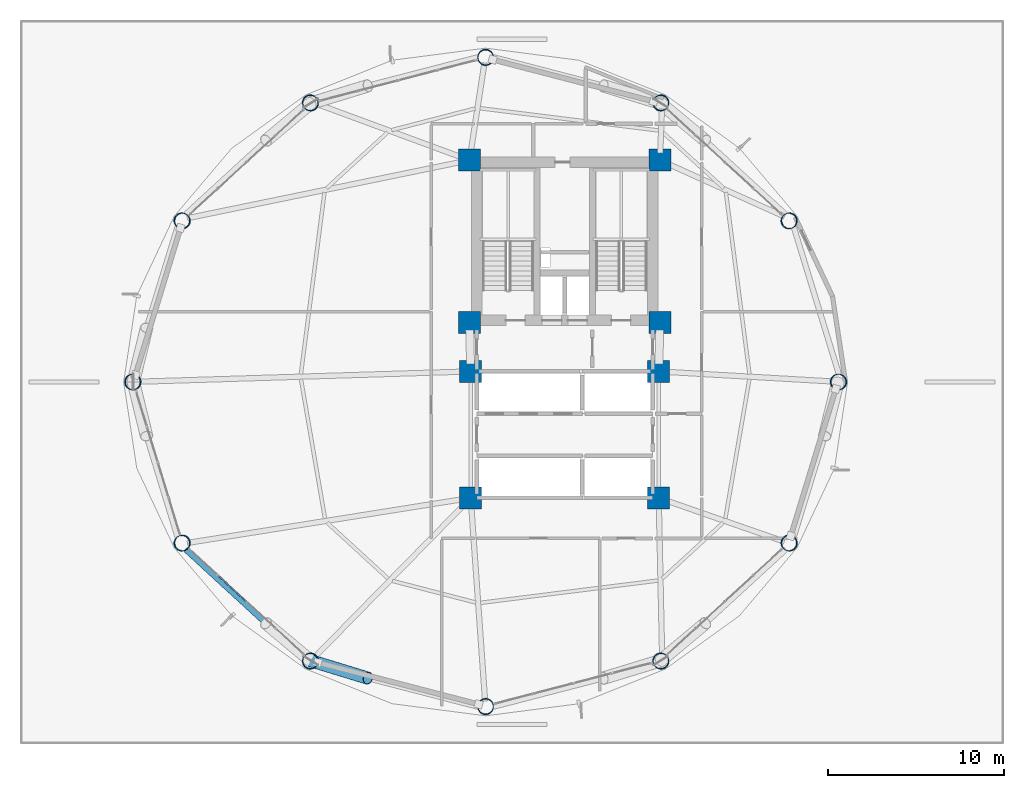
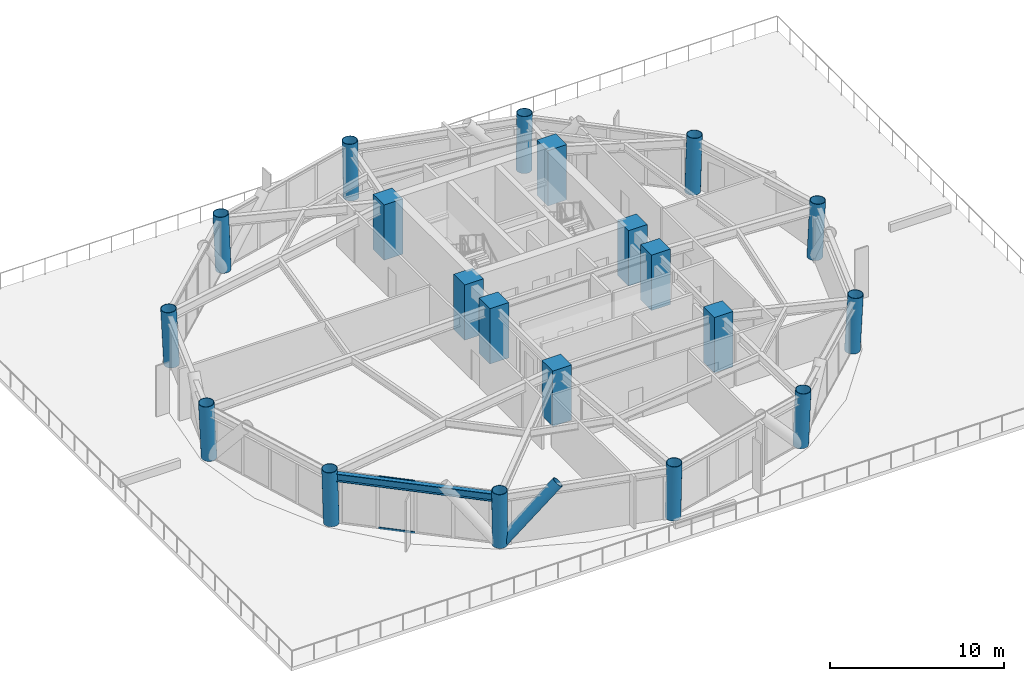
# One storey, part 1 of 24: 20 columns, 3 members, 1 beam, 1 element without a shape of its own.
"""IFC4 building model written with IfcOpenShell, lengths in metres."""

import ifcopenshell
import ifcopenshell.guid

model = None  # the IFC model being written
_history = None  # IfcOwnerHistory: only IFC2X3 demands one
_inside = {}  # id of a spatial element -> (the spatial element, [elements in it])
_under = {}  # id of a project, library or spatial element -> (it, [spatial elements below it])
_declared = {}  # id of a project -> (the project, [libraries it declares])
_typed = {}  # id of a type object -> (the type object, [elements of that type])
_made_of = {}  # id of a material, layer set ... -> (it, [elements and type objects made of it])


def new_model(schema):
    """Start an empty IFC model of exactly this schema.

    Asked for "IFC4X3", IfcOpenShell would pick the latest addendum, in which some entities
    have other attributes; the version numbers below select the first issue.
    IFC2X3 requires an IfcOwnerHistory on every rooted entity: one is made here for all.
    """
    global model, _history
    if schema == "IFC4X3":
        model = ifcopenshell.file(schema_version=(4, 3, 0, 0))
    else:
        model = ifcopenshell.file(schema=schema)
    _inside.clear()
    _under.clear()
    _declared.clear()
    _typed.clear()
    _made_of.clear()
    _history = None
    if model.schema == "IFC2X3":
        org = make("IfcOrganization", Name="unknown")
        user = make(
            "IfcPersonAndOrganization",
            ThePerson=make("IfcPerson", FamilyName="unknown"),
            TheOrganization=org,
        )
        app = make(
            "IfcApplication",
            ApplicationDeveloper=org,
            Version="unknown",
            ApplicationFullName="unknown",
            ApplicationIdentifier="unknown",
        )
        _history = make(
            "IfcOwnerHistory",
            OwningUser=user,
            OwningApplication=app,
            ChangeAction="ADDED",
            CreationDate=0,
        )
    return model


def make(cls, **values):
    """One entity of the class cls with the attributes given. An attribute that is None is left unset."""
    return model.create_entity(
        cls, **{name: value for name, value in values.items() if value is not None}
    )


def rooted(cls, **values):
    """An entity with a GlobalId (a new one), such as an element, a storey or a relation."""
    return make(cls, GlobalId=ifcopenshell.guid.new(), OwnerHistory=_history, **values)


def si_unit(unit_type, name, prefix=None):
    """IfcSIUnit, for example si_unit("LENGTHUNIT", "METRE", prefix="MILLI")."""
    return make("IfcSIUnit", UnitType=unit_type, Prefix=prefix, Name=name)


def assignment(units):
    """IfcUnitAssignment: the units of a project."""
    return None if units is None else make("IfcUnitAssignment", Units=units)


def point(xyz):
    """IfcCartesianPoint."""
    return None if xyz is None else make("IfcCartesianPoint", Coordinates=xyz)


def direction(xyz):
    """IfcDirection."""
    return None if xyz is None else make("IfcDirection", DirectionRatios=xyz)


def frame(location, z_axis=None, x_axis=None):
    """IfcAxis2Placement3D, a coordinate frame: its origin and axes. An axis left out is left unset."""
    return make(
        "IfcAxis2Placement3D",
        Location=point(location),
        Axis=direction(z_axis),
        RefDirection=direction(x_axis),
    )


def frame_2d(location, x_axis=None):
    """IfcAxis2Placement2D, a coordinate frame in the plane: its origin and x axis."""
    return make(
        "IfcAxis2Placement2D", Location=point(location), RefDirection=direction(x_axis)
    )


def origin():
    """The frame at (0, 0, 0) with its axes left unset."""
    return frame((0.0, 0.0, 0.0))


def origin_2d():
    """The frame at (0, 0) in the plane with its x axis left unset."""
    return frame_2d((0.0, 0.0))


def place(relative_to, where):
    """IfcLocalPlacement: puts the frame where relative to a parent placement (None: the world)."""
    return make(
        "IfcLocalPlacement", PlacementRelTo=relative_to, RelativePlacement=where
    )


def context(
    kind, dimensions, precision=None, world=None, true_north=None, identifier=None
):
    """IfcGeometricRepresentationContext, for example the 3D "Model" context."""
    return make(
        "IfcGeometricRepresentationContext",
        ContextIdentifier=identifier,
        ContextType=kind,
        CoordinateSpaceDimension=dimensions,
        Precision=precision,
        WorldCoordinateSystem=world,
        TrueNorth=true_north,
    )


def subcontext(parent, identifier, kind, view, scale=None):
    """IfcGeometricRepresentationSubContext, for example "Body" below "Model"."""
    return make(
        "IfcGeometricRepresentationSubContext",
        ContextIdentifier=identifier,
        ContextType=kind,
        ParentContext=parent,
        TargetScale=scale,
        TargetView=view,
    )


def project(units=None, contexts=None):
    """IfcProject with its units and contexts."""
    return rooted(
        "IfcProject",
        Name="project",
        RepresentationContexts=contexts,
        UnitsInContext=assignment(units),
    )


def spatial(cls, under=None, at=None, **own):
    """A site, building, storey or space (cls), placed at a placement, below another one or the project."""
    s = rooted(cls, ObjectPlacement=at, **own)
    if under is not None:
        _under.setdefault(under.id(), (under, []))[1].append(s)
    return s


def profile(cls, at=None, kind="AREA", **sizes):
    """A parametric profile (cls). Its sizes go by their IFC names, for example OverallWidth=200.0."""
    return make(cls, ProfileType=kind, Position=at, **sizes)


def rectangle(**sizes):
    """IfcRectangleProfileDef."""
    return profile("IfcRectangleProfileDef", **sizes)


def hollow_rectangle(**sizes):
    """IfcRectangleHollowProfileDef."""
    return profile("IfcRectangleHollowProfileDef", **sizes)


def hollow_circle(**sizes):
    """IfcCircleHollowProfileDef."""
    return profile("IfcCircleHollowProfileDef", **sizes)


def i_section(**sizes):
    """IfcIShapeProfileDef."""
    return profile("IfcIShapeProfileDef", **sizes)


def extrude(swept, where, along, depth):
    """IfcExtrudedAreaSolid: the profile swept, set in the frame where, extruded along a direction by depth."""
    return make(
        "IfcExtrudedAreaSolid",
        SweptArea=swept,
        Position=where,
        ExtrudedDirection=direction(along),
        Depth=depth,
    )


def shape(context_of_items, identifier, shape_type, items):
    """IfcShapeRepresentation: the items that make up one representation, for example the "Body"."""
    return make(
        "IfcShapeRepresentation",
        ContextOfItems=context_of_items,
        RepresentationIdentifier=identifier,
        RepresentationType=shape_type,
        Items=items,
    )


def material(Name=None, Category=None):
    """IfcMaterial."""
    return make("IfcMaterial", Name=Name, Category=Category)


def layer(
    of_material, thickness, ventilated=None, Name=None, Category=None, Priority=None
):
    """IfcMaterialLayer: one layer of a wall or slab, of a material (None: an air gap)."""
    return make(
        "IfcMaterialLayer",
        Material=of_material,
        LayerThickness=thickness,
        IsVentilated=ventilated,
        Name=Name,
        Category=Category,
        Priority=Priority,
    )


def layer_set(layers, Name=None):
    """IfcMaterialLayerSet."""
    return make("IfcMaterialLayerSet", MaterialLayers=layers, LayerSetName=Name)


def material_profile(
    of_material, cross_section, Name=None, Category=None, Priority=None
):
    """IfcMaterialProfile: a cross section and its material."""
    return make(
        "IfcMaterialProfile",
        Name=Name,
        Material=of_material,
        Profile=cross_section,
        Priority=Priority,
        Category=Category,
    )


def profile_set(profiles, Name=None, composite=None):
    """IfcMaterialProfileSet."""
    return make(
        "IfcMaterialProfileSet",
        Name=Name,
        MaterialProfiles=profiles,
        CompositeProfile=composite,
    )


def made_of(thing, what):
    """Note that an element or type object is made of a material, layer set ...; save() writes the relation."""
    if what is not None:
        _made_of.setdefault(what.id(), (what, []))[1].append(thing)
    return thing


def type_object(cls, material=None, **own):
    """A type object (cls), such as IfcWallType, which elements share."""
    return made_of(rooted(cls, **own), material)


def element(
    cls,
    number,
    at=None,
    inside=None,
    cuts=None,
    type_object=None,
    material=None,
    context=None,
    identifier="Body",
    shape_type=None,
    held_by="IfcProductDefinitionShape",
    body=None,
    shapes=None,
    **own,
):
    """One element of the class cls, such as IfcWall. Its Tag is "e" and its number.

    at: its placement. inside: the storey or other place that contains it. cuts: it is an
    opening in that element (IfcRelVoidsElement). A single representation is given by context,
    identifier, shape_type and body (its items); several are given by shapes. held_by: the class
    of the entity that holds the representations. save() writes the other relations.
    """
    e = rooted(cls, Tag="e%d" % number, ObjectPlacement=at, **own)
    if body is not None:
        shapes = [shape(context, identifier, shape_type, body)]
    if shapes is not None:
        e.Representation = make(held_by, Representations=shapes)
    if inside is not None:
        _inside.setdefault(inside.id(), (inside, []))[1].append(e)
    if cuts is not None:
        rooted(
            "IfcRelVoidsElement", RelatingBuildingElement=cuts, RelatedOpeningElement=e
        )
    if type_object is not None:
        _typed.setdefault(type_object.id(), (type_object, []))[1].append(e)
    return made_of(e, material)


def aggregate(whole, parts):
    """IfcRelAggregates: a whole, such as a stair, and the parts it consists of."""
    return rooted("IfcRelAggregates", RelatingObject=whole, RelatedObjects=parts)


def save(model, path):
    """Write the relations noted so far, then the file.

    IfcRelAggregates (storeys below a building ...), IfcRelContainedInSpatialStructure (elements
    in a storey), IfcRelDefinesByType, IfcRelAssociatesMaterial and IfcRelDeclares: one each for
    every whole, place, type object, material and project.
    """
    for whole, parts in _under.values():
        aggregate(whole, parts)
    for where, things in _inside.values():
        rooted(
            "IfcRelContainedInSpatialStructure",
            RelatedElements=things,
            RelatingStructure=where,
        )
    for kind, things in _typed.values():
        rooted("IfcRelDefinesByType", RelatedObjects=things, RelatingType=kind)
    for what, things in _made_of.values():
        rooted("IfcRelAssociatesMaterial", RelatedObjects=things, RelatingMaterial=what)
    for by, libraries in _declared.values():
        rooted("IfcRelDeclares", RelatingContext=by, RelatedDefinitions=libraries)
    model.write(path)


model = new_model("IFC4")

# Units and contexts
model_context = context("Model", 3, precision=1e-05, world=origin(), true_north=direction((0.0, 1.0)))
body_context = subcontext(model_context, "Body", "Model", "MODEL_VIEW")
ifc_project = project(units=[si_unit("LENGTHUNIT", "METRE"), si_unit("AREAUNIT", "SQUARE_METRE"), si_unit("VOLUMEUNIT", "CUBIC_METRE"), si_unit("PLANEANGLEUNIT", "RADIAN"), si_unit("MASSUNIT", "GRAM", prefix="KILO")], contexts=[model_context])

# Site, building, storey
site_placement = place(None, origin())
site = spatial("IfcSite", under=ifc_project, at=site_placement, CompositionType="ELEMENT")
building_placement = place(site_placement, origin())
building = spatial("IfcBuilding", under=site, at=building_placement, Name="Varnakorn Sky Granary", CompositionType="ELEMENT")
storey_placement = place(building_placement, frame((0.0, 0.0, 27.60009765625)))
storey = spatial("IfcBuildingStorey", under=building, at=storey_placement, Name="L06", CompositionType="ELEMENT", Elevation=27.60009765625)

# Columns
ifc_material_1 = material(Name="Steel S460M", Category="steel")
ifc_material_profile_1 = material_profile(ifc_material_1, hollow_circle(Radius=0.45703125, WallThickness=0.031982421875, at=origin_2d()), Name="CHS 914x32")
ifc_profile_set_1 = profile_set([ifc_material_profile_1], Name="Steel S460M")
column_type_1 = type_object("IfcColumnType", Name="COL-DC-Z1", PredefinedType="COLUMN", material=ifc_profile_set_1)
column_1_placement = place(storey_placement, frame((18.550048828125, 0.0, 0.0), z_axis=(0.048456117097, 0.0, 0.998825312412), x_axis=(0.0, 1.0, 0.0)))
element("IfcColumn", 1, at=column_1_placement, inside=storey, type_object=column_type_1, Name="Drum Perimeter Column DC01 L06", PredefinedType="COLUMN", context=body_context, shape_type="SweptSolid", body=[
    extrude(hollow_circle(Radius=0.45703125, WallThickness=0.031982421875, at=origin_2d()), origin(), (0.0, 0.0, 1.0), 3.879638671875),
])
column_2_placement = place(storey_placement, frame((15.746826171875, 9.157470703125, 0.0), z_axis=(0.041979196917, 0.018818260687, 0.998941249569), x_axis=(-0.409055904093, 0.912509324515, 0.0)))
element("IfcColumn", 2, at=column_2_placement, inside=storey, type_object=column_type_1, Name="Drum Perimeter Column DC02 L06", PredefinedType="COLUMN", context=body_context, shape_type="SweptSolid", body=[
    extrude(hollow_circle(Radius=0.45703125, WallThickness=0.031982421875, at=origin_2d()), origin(), (0.0, 0.0, 1.0), 3.879150390625),
])
column_3_placement = place(storey_placement, frame((8.45751953125, 15.861328125, 0.0), z_axis=(0.024236523215, 0.032609140326, 0.999174276545), x_axis=(-0.802595483818, 0.596523670406, 0.0)))
element("IfcColumn", 3, at=column_3_placement, inside=storey, type_object=column_type_1, Name="Drum Perimeter Column DC03 L06", PredefinedType="COLUMN", context=body_context, shape_type="SweptSolid", body=[
    extrude(hollow_circle(Radius=0.45703125, WallThickness=0.031982421875, at=origin_2d()), origin(), (0.0, 0.0, 1.0), 3.878173828125),
])
column_4_placement = place(storey_placement, frame((-1.5, 18.449951171875, 0.0), z_axis=(0.0, 0.037649698668, 0.999290998754), x_axis=(-1.0, 0.0, 0.0)))
element("IfcColumn", 4, at=column_4_placement, inside=storey, type_object=column_type_1, Name="Drum Perimeter Column DC04 L06", PredefinedType="COLUMN", context=body_context, shape_type="SweptSolid", body=[
    extrude(hollow_circle(Radius=0.45703125, WallThickness=0.031982421875, at=origin_2d()), origin(), (0.0, 0.0, 1.0), 3.877685546875),
])
column_5_placement = place(storey_placement, frame((-11.45751953125, 15.861328125, 0.0), z_axis=(-0.024236523215, 0.032609140326, 0.999174276545), x_axis=(-0.802595483818, -0.596523670406, 0.0)))
element("IfcColumn", 5, at=column_5_placement, inside=storey, type_object=column_type_1, Name="Drum Perimeter Column DC05 L06", PredefinedType="COLUMN", context=body_context, shape_type="SweptSolid", body=[
    extrude(hollow_circle(Radius=0.45703125, WallThickness=0.031982421875, at=origin_2d()), origin(), (0.0, 0.0, 1.0), 3.878173828125),
])
column_6_placement = place(storey_placement, frame((-18.746826171875, 9.157470703125, 0.0), z_axis=(-0.041979196917, 0.018818260687, 0.998941249569), x_axis=(-0.409055904093, -0.912509324515, 0.0)))
element("IfcColumn", 6, at=column_6_placement, inside=storey, type_object=column_type_1, Name="Drum Perimeter Column DC06 L06", PredefinedType="COLUMN", context=body_context, shape_type="SweptSolid", body=[
    extrude(hollow_circle(Radius=0.45703125, WallThickness=0.031982421875, at=origin_2d()), origin(), (0.0, 0.0, 1.0), 3.879150390625),
])
column_7_placement = place(storey_placement, frame((-21.550048828125, 0.0, 0.0), z_axis=(-0.048456117097, 0.0, 0.998825312412), x_axis=(0.0, -1.0, 0.0)))
element("IfcColumn", 7, at=column_7_placement, inside=storey, type_object=column_type_1, Name="Drum Perimeter Column DC07 L06", PredefinedType="COLUMN", context=body_context, shape_type="SweptSolid", body=[
    extrude(hollow_circle(Radius=0.45703125, WallThickness=0.031982421875, at=origin_2d()), origin(), (0.0, 0.0, 1.0), 3.879638671875),
])
column_8_placement = place(storey_placement, frame((-18.746826171875, -9.157470703125, 0.0), z_axis=(-0.041979196917, -0.018818260687, 0.998941249569), x_axis=(0.409055904093, -0.912509324515, 0.0)))
element("IfcColumn", 8, at=column_8_placement, inside=storey, type_object=column_type_1, Name="Drum Perimeter Column DC08 L06", PredefinedType="COLUMN", context=body_context, shape_type="SweptSolid", body=[
    extrude(hollow_circle(Radius=0.45703125, WallThickness=0.031982421875, at=origin_2d()), origin(), (0.0, 0.0, 1.0), 3.879150390625),
])
column_9_placement = place(storey_placement, frame((-11.45751953125, -15.861328125, 0.0), z_axis=(-0.024236523215, -0.032609140326, 0.999174276545), x_axis=(0.802595483818, -0.596523670406, 0.0)))
element("IfcColumn", 9, at=column_9_placement, inside=storey, type_object=column_type_1, Name="Drum Perimeter Column DC09 L06", PredefinedType="COLUMN", context=body_context, shape_type="SweptSolid", body=[
    extrude(hollow_circle(Radius=0.45703125, WallThickness=0.031982421875, at=origin_2d()), origin(), (0.0, 0.0, 1.0), 3.878173828125),
])
column_10_placement = place(storey_placement, frame((-1.5, -18.449951171875, 0.0), z_axis=(0.0, -0.037649698668, 0.999290998754), x_axis=(1.0, 0.0, 0.0)))
element("IfcColumn", 10, at=column_10_placement, inside=storey, type_object=column_type_1, Name="Drum Perimeter Column DC10 L06", PredefinedType="COLUMN", context=body_context, shape_type="SweptSolid", body=[
    extrude(hollow_circle(Radius=0.45703125, WallThickness=0.031982421875, at=origin_2d()), origin(), (0.0, 0.0, 1.0), 3.877685546875),
])
column_11_placement = place(storey_placement, frame((8.45751953125, -15.861328125, 0.0), z_axis=(0.024236523215, -0.032609140326, 0.999174276545), x_axis=(0.802595483818, 0.596523670406, 0.0)))
element("IfcColumn", 11, at=column_11_placement, inside=storey, type_object=column_type_1, Name="Drum Perimeter Column DC11 L06", PredefinedType="COLUMN", context=body_context, shape_type="SweptSolid", body=[
    extrude(hollow_circle(Radius=0.45703125, WallThickness=0.031982421875, at=origin_2d()), origin(), (0.0, 0.0, 1.0), 3.878173828125),
])
column_12_placement = place(storey_placement, frame((15.746826171875, -9.157470703125, 0.0), z_axis=(0.041979196917, -0.018818260687, 0.998941249569), x_axis=(0.409055904093, 0.912509324515, 0.0)))
element("IfcColumn", 12, at=column_12_placement, inside=storey, type_object=column_type_1, Name="Drum Perimeter Column DC12 L06", PredefinedType="COLUMN", context=body_context, shape_type="SweptSolid", body=[
    extrude(hollow_circle(Radius=0.45703125, WallThickness=0.031982421875, at=origin_2d()), origin(), (0.0, 0.0, 1.0), 3.879150390625),
])
ifc_material_2 = material(Name="Concrete C60/75", Category="concrete")
ifc_material_profile_2 = material_profile(ifc_material_2, rectangle(XDim=1.25, YDim=1.25, at=origin_2d()), Name="RC 1250x1250")
ifc_profile_set_2 = profile_set([ifc_material_profile_2], Name="Concrete C60/75")
column_type_2 = type_object("IfcColumnType", Name="COL-MC-Z1", PredefinedType="COLUMN", material=ifc_profile_set_2)
for number, where, z_axis, x_axis, name in (
    (13, (-2.419921875, 12.6201171875, 0.0), (0.0, 0.0, 1.0), (1.0, 0.0, 0.0), "Backbone Mega-Column MC1 L06"),
    (14, (8.419921875, 12.6201171875, 0.0), (0.0, 0.0, 1.0), (1.0, 0.0, 0.0), "Backbone Mega-Column MC2 L06"),
    (15, (-2.419921875, 3.3798828125, 0.0), (0.0, 0.0, 1.0), (1.0, 0.0, 0.0), "Backbone Mega-Column MC3 L06"),
    (16, (8.419921875, 3.3798828125, 0.0), (0.0, 0.0, 1.0), (1.0, 0.0, 0.0), "Backbone Mega-Column MC4 L06"),
    (17, (-2.35009765625, 0.60009765625, 0.0), (0.0, 0.0, 1.0), (1.0, 0.0, 0.0), "Backbone Mega-Column MC5 L06"),
    (18, (8.35009765625, 0.60009765625, 0.0), (0.0, 0.0, 1.0), (1.0, 0.0, 0.0), "Backbone Mega-Column MC6 L06"),
    (19, (-2.35009765625, -6.60009765625, 0.0), (0.0, 0.0, 1.0), (1.0, 0.0, 0.0), "Backbone Mega-Column MC7 L06"),
    (20, (8.35009765625, -6.60009765625, 0.0), (0.0, 0.0, 1.0), (1.0, 0.0, 0.0), "Backbone Mega-Column MC8 L06"),
):
    element("IfcColumn", number, at=place(storey_placement, frame(where, z_axis=z_axis, x_axis=x_axis)), inside=storey, type_object=column_type_2, Name=name, PredefinedType="COLUMN", context=body_context, shape_type="SweptSolid", body=[
        extrude(rectangle(XDim=1.25, YDim=1.25, at=origin_2d()), origin(), (0.0, 0.0, 1.0), 3.875),
    ])

# Beam
ifc_material_3 = material(Name="Steel S355JR", Category="steel")
ifc_material_profile_3 = material_profile(ifc_material_3, i_section(OverallWidth=0.300048828125, OverallDepth=0.550048828125, WebThickness=0.014892578125, FlangeThickness=0.029052734375, at=origin_2d()), Name="HE 550 B")
ifc_profile_set_3 = profile_set([ifc_material_profile_3], Name="Steel S355JR")
beam_type = type_object("IfcBeamType", Name="BM-SPD-Z1", PredefinedType="SPANDREL", material=ifc_profile_set_3)
beam_placement = place(storey_placement, frame((-18.583984375, -9.529541015625, 3.364990234375), z_axis=(0.736536158122, -0.676398172513, 0.0), x_axis=(0.676398172513, 0.736536158122, 0.0)))
element("IfcBeam", 21, at=beam_placement, inside=storey, type_object=beam_type, Name="Perimeter Spandrel Ring Beam RB08 L06", PredefinedType="SPANDREL", context=body_context, shape_type="SweptSolid", body=[
    extrude(i_section(OverallWidth=0.300048828125, OverallDepth=0.550048828125, WebThickness=0.014892578125, FlangeThickness=0.029052734375, at=origin_2d()), origin(), (0.0, 0.0, 1.0), 9.10595703125),
])

# Curtain wall, members
ifc_material_4 = material(Name="Anodised Bronze Aluminium Alloy 6063-T6", Category="aluminium")
ifc_layer = layer(ifc_material_4, 0.18994140625, Name="Anodised Bronze Aluminium Alloy 6063-T6")
ifc_layer_set = layer_set([ifc_layer], Name="Anodised Bronze Aluminium Alloy 6063-T6")
curtain_wall_type = type_object("IfcCurtainWallType", Name="CW-FRM-1", PredefinedType="USERDEFINED", material=ifc_layer_set)
curtain_wall_placement = place(storey_placement, origin())
curtain_wall = element("IfcCurtainWall", 22, at=curtain_wall_placement, inside=storey, type_object=curtain_wall_type, Name="Unitised Curtain Wall CW3 CW-L06-B08", ObjectType="CURTAIN WALL", PredefinedType="USERDEFINED")
ifc_material_profile_4 = material_profile(ifc_material_4, hollow_rectangle(XDim=0.070068359375, YDim=0.139892578125, WallThickness=0.00341796875, at=origin_2d()), Name="ALU TRAN 70x140")
ifc_profile_set_4 = profile_set([ifc_material_profile_4], Name="Anodised Bronze Aluminium Alloy 6063-T6")
member_type_1 = type_object("IfcMemberType", Name="CW-FRM-1-TRAN", PredefinedType="USERDEFINED", material=ifc_profile_set_4)
member_1_placement = place(storey_placement, frame((-15.1279296875, -12.485595703125, 0.034912109375), z_axis=(-0.736105481164, 0.676866841114, 0.0), x_axis=(-0.676866841114, -0.736105481164, 0.0)))
member_1 = element("IfcMember", 23, at=member_1_placement, type_object=member_type_1, Name="CW3 transom 3.1", ObjectType="TRANSOM", PredefinedType="USERDEFINED", context=body_context, shape_type="SweptSolid", body=[
    extrude(hollow_rectangle(XDim=0.070068359375, YDim=0.139892578125, WallThickness=0.00341796875, at=origin_2d()), origin(), (0.0, 0.0, 1.0), 2.147216796875),
])
member_2_placement = place(storey_placement, frame((-15.1279296875, -12.485595703125, 3.60498046875), z_axis=(-0.736105481164, 0.676866841114, 0.0), x_axis=(-0.676866841114, -0.736105481164, 0.0)))
member_2 = element("IfcMember", 24, at=member_2_placement, type_object=member_type_1, Name="CW3 transom 3.2", ObjectType="TRANSOM", PredefinedType="USERDEFINED", context=body_context, shape_type="SweptSolid", body=[
    extrude(hollow_rectangle(XDim=0.070068359375, YDim=0.139892578125, WallThickness=0.00341796875, at=origin_2d()), origin(), (0.0, 0.0, 1.0), 2.147216796875),
])
aggregate(curtain_wall, [member_1, member_2])

# Member
ifc_material_profile_5 = material_profile(ifc_material_1, hollow_circle(Radius=0.35546875, WallThickness=0.02490234375, at=origin_2d()), Name="CHS 711x25")
ifc_profile_set_5 = profile_set([ifc_material_profile_5], Name="Steel S460M")
member_type_2 = type_object("IfcMemberType", Name="MB-DIAG-T0", PredefinedType="BRACE", material=ifc_profile_set_5)
member_3_placement = place(storey_placement, frame((-11.45751953125, -15.861328125, 0.0), z_axis=(0.639166331841, -0.195453892164, 0.743817300335), x_axis=(0.292427985995, 0.95628754724, 0.0)))
element("IfcMember", 25, at=member_3_placement, inside=storey, type_object=member_type_2, Name="Perimeter CHS Diagrid Brace DG09 L06", PredefinedType="BRACE", context=body_context, shape_type="SweptSolid", body=[
    extrude(hollow_circle(Radius=0.35546875, WallThickness=0.02490234375, at=origin_2d()), origin(), (0.0, 0.0, 1.0), 5.094970703125),
])

save(model, "model.ifc")
